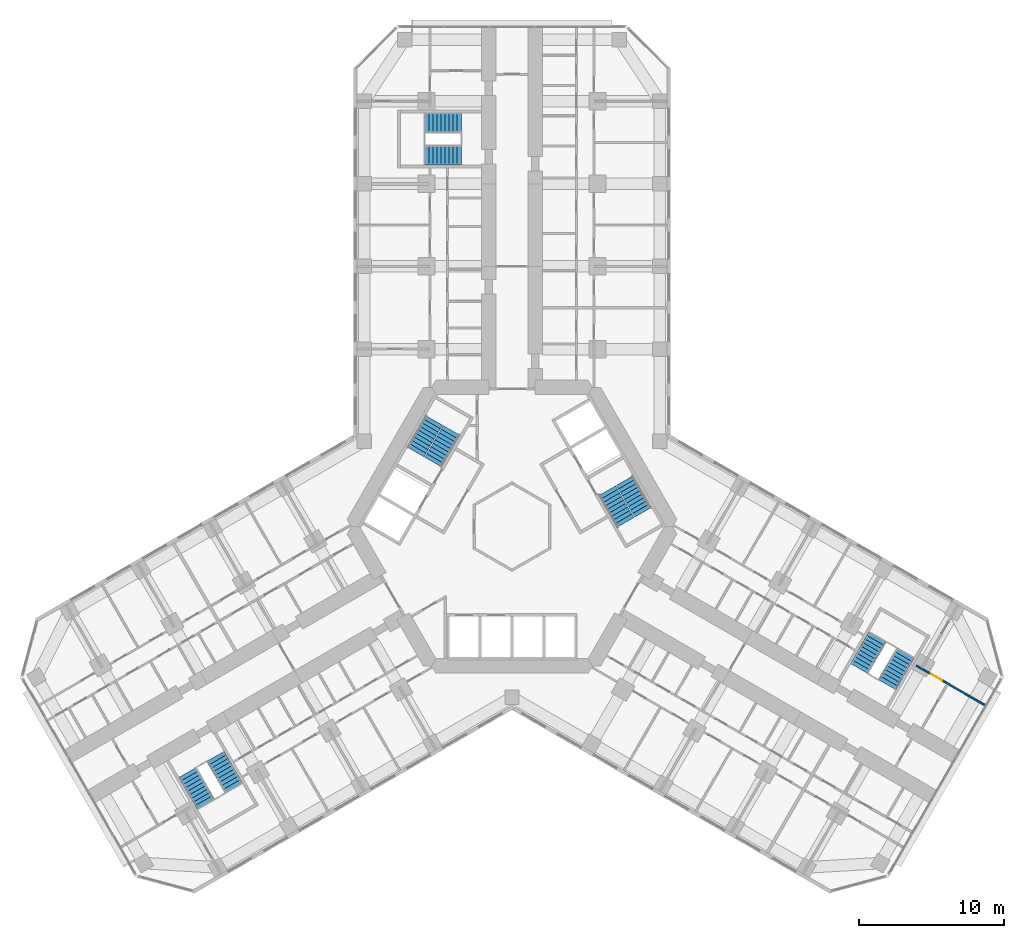
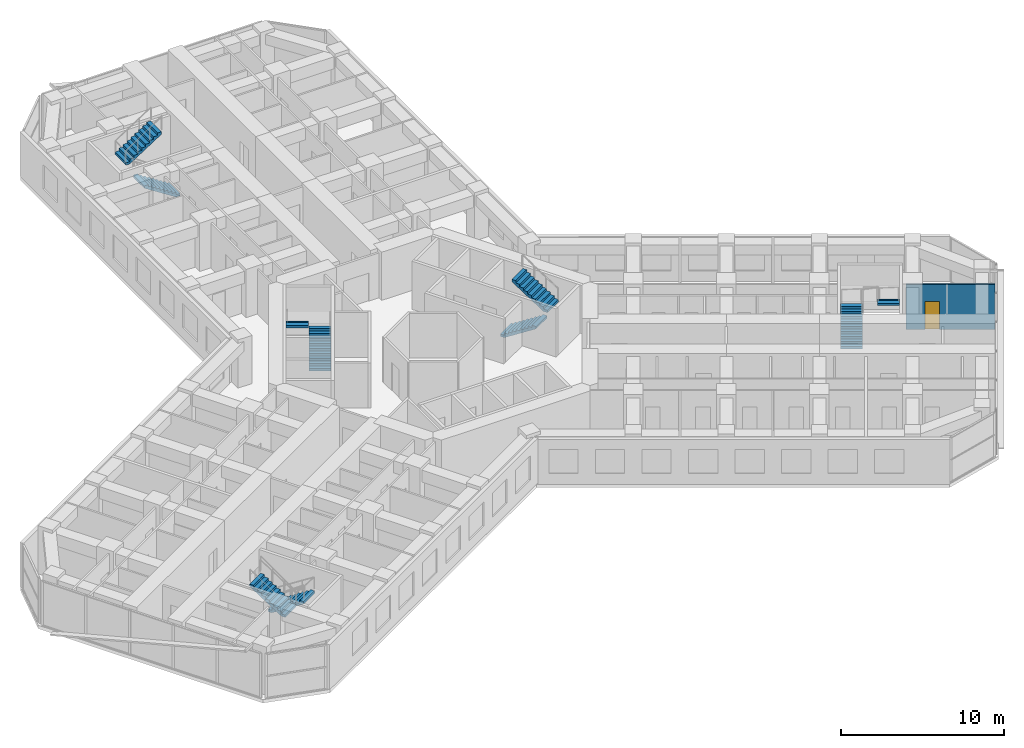
# One storey, part 20 of 21: 10 stair flights, 1 door, 1 wall, 1 opening, 5 elements without a shape of their own.
"""IFC4 building model written with IfcOpenShell, lengths in metres."""

from ifc_helpers import new_model, si_unit, direction, frame, frame_2d, origin, place, context, subcontext, project, spatial, polyline, rectangle, outline, extrude, material, layer, layer_set, type_object, element, fill, aggregate, save


model = new_model("IFC4")

# Units and contexts
model_context = context("Model", 3, precision=1e-05, world=origin(), true_north=direction((0.0, 1.0)))
body_context = subcontext(model_context, "Body", "Model", "MODEL_VIEW")
ifc_project = project(units=[si_unit("LENGTHUNIT", "METRE"), si_unit("AREAUNIT", "SQUARE_METRE"), si_unit("VOLUMEUNIT", "CUBIC_METRE"), si_unit("PLANEANGLEUNIT", "RADIAN"), si_unit("MASSUNIT", "GRAM", prefix="KILO")], contexts=[model_context])

# Site, building, storey
site_placement = place(None, origin())
site = spatial("IfcSite", under=ifc_project, at=site_placement, CompositionType="ELEMENT")
building_placement = place(site_placement, origin())
building = spatial("IfcBuilding", under=site, at=building_placement, Name="Kosmar Iwan School Tower", CompositionType="ELEMENT")
storey_placement = place(building_placement, frame((0.0, 0.0, 61.0)))
storey = spatial("IfcBuildingStorey", under=building, at=storey_placement, Name="L14", CompositionType="ELEMENT", Elevation=61.0)

# Wall, opening, door
ifc_material_1 = material(Name="Gypsum board on steel studs", Category="steel")
ifc_layer = layer(ifc_material_1, 0.1201171875)
ifc_layer_set = layer_set([ifc_layer], Name="Dwelling partition 120")
wall_type = type_object("IfcWallType", Name="Dwelling partition 120", PredefinedType="PARTITIONING", material=ifc_layer_set)
wall_placement = place(storey_placement, frame((27.896484375, -9.58203125, 0.0), z_axis=(0.0, 0.0, 1.0), x_axis=(0.866035508231, -0.499982498177, 0.0)))
wall = element("IfcWall", 1, at=wall_placement, inside=storey, type_object=wall_type, Name="Partition L14-CL2-TW", PredefinedType="PARTITIONING", context=body_context, shape_type="SweptSolid", body=[
    extrude(rectangle(XDim=5.445068359375, YDim=0.1201171875, at=frame_2d((2.72265625, 0.0))), origin(), (0.0, 0.0, 1.0), 3.35009765625),
])
opening_placement = place(wall_placement, frame((1.14990234375, 0.0, 0.0)))
opening = element("IfcOpeningElement", 2, at=opening_placement, cuts=wall, Name="Opening D2", PredefinedType="OPENING", context=body_context, shape_type="SweptSolid", body=[
    extrude(rectangle(XDim=0.89990234375, YDim=2.10009765625, at=frame_2d((0.449951171875, 1.050048828125))), frame((0.0, 0.072021484375, 0.0), z_axis=(0.0, -1.0, 0.0), x_axis=(1.0, 0.0, 0.0)), (0.0, 0.0, 1.0), 0.14404296875),
])
ifc_material_2 = material(Name="Timber door in timber frame", Category="wood")
door_type = type_object("IfcDoorType", Name="Internal door 900x2100", OperationType="SINGLE_SWING_LEFT", PredefinedType="DOOR", material=ifc_material_2)
door_placement = place(opening_placement, origin())
door = element("IfcDoor", 3, at=door_placement, inside=storey, type_object=door_type, Name="Entrance hall door L14-CL2-T3", OperationType="SINGLE_SWING_LEFT", OverallHeight=2.10009765625, OverallWidth=0.89990234375, PredefinedType="DOOR", context=body_context, shape_type="SweptSolid", body=[
    extrude(rectangle(XDim=0.89990234375, YDim=2.10009765625, at=frame_2d((0.449951171875, 1.050048828125))), frame((0.0, 0.02490234375, 0.0), z_axis=(0.0, -1.0, 0.0), x_axis=(1.0, 0.0, 0.0)), (0.0, 0.0, 1.0), 0.050048828125),
])
fill(opening, door)

# Stair, stair flights
ifc_material_3 = material(Name="Concrete C35/45", Category="concrete")
stair_type_1 = type_object("IfcStairType", Name="Escape stair 3600", PredefinedType="HALF_TURN_STAIR", material=ifc_material_3)
stair_1_placement = place(storey_placement, origin())
stair_1 = element("IfcStair", 4, at=stair_1_placement, inside=storey, type_object=stair_type_1, Name="Stair WS1 L14", PredefinedType="HALF_TURN_STAIR")
ifc_material_4 = material(Name="Concrete C35/45", Category="concrete")
stair_flight_type_1 = type_object("IfcStairFlightType", Name="Escape stair flight 1350", PredefinedType="STRAIGHT", material=ifc_material_4)
stair_flight_1_placement = place(storey_placement, frame((-3.5, 25.625, 0.0), z_axis=(0.0, 0.0, 1.0), x_axis=(-1.0, 0.0, 0.0)))
stair_flight_1 = element("IfcStairFlight", 5, at=stair_flight_1_placement, type_object=stair_flight_type_1, Name="WS1 flight 1", NumberOfRisers=10, NumberOfTreads=9, PredefinedType="STRAIGHT", RiserHeight=0.18, TreadLength=0.28, context=body_context, shape_type="SweptSolid", body=[
    extrude(outline(polyline([(0.0, 0.0), (0.0, 0.179931640625), (0.280029296875, 0.179931640625), (0.280029296875, 0.360107421875), (0.56005859375, 0.360107421875), (0.56005859375, 0.5400390625), (0.840087890625, 0.5400390625), (0.840087890625, 0.719970703125), (1.1201171875, 0.719970703125), (1.1201171875, 0.89990234375), (1.39990234375, 0.89990234375), (1.39990234375, 1.080078125), (1.679931640625, 1.080078125), (1.679931640625, 1.260009765625), (1.9599609375, 1.260009765625), (1.9599609375, 1.43994140625), (2.239990234375, 1.43994140625), (2.239990234375, 1.6201171875), (2.52001953125, 1.6201171875), (2.52001953125, 1.800048828125), (2.52001953125, 1.44189453125), (0.277099609375, 0.0), (0.0, 0.0)])), frame((0.0, 0.675048828125, 0.0), z_axis=(0.0, -1.0, 0.0), x_axis=(1.0, 0.0, 0.0)), (0.0, 0.0, 1.0), 1.35009765625),
])
stair_flight_2_placement = place(storey_placement, frame((-6.02001953125, 27.875, 1.800048828125), z_axis=(0.0, 0.0, 1.0), x_axis=(1.0, 0.0, 0.0)))
stair_flight_2 = element("IfcStairFlight", 6, at=stair_flight_2_placement, type_object=stair_flight_type_1, Name="WS1 flight 2", NumberOfRisers=10, NumberOfTreads=9, PredefinedType="STRAIGHT", RiserHeight=0.18, TreadLength=0.28, context=body_context, shape_type="SweptSolid", body=[
    extrude(outline(polyline([(0.0, 0.0), (0.0, 0.179931640625), (0.280029296875, 0.179931640625), (0.280029296875, 0.360107421875), (0.56005859375, 0.360107421875), (0.56005859375, 0.5400390625), (0.840087890625, 0.5400390625), (0.840087890625, 0.719970703125), (1.1201171875, 0.719970703125), (1.1201171875, 0.89990234375), (1.39990234375, 0.89990234375), (1.39990234375, 1.080078125), (1.679931640625, 1.080078125), (1.679931640625, 1.260009765625), (1.9599609375, 1.260009765625), (1.9599609375, 1.43994140625), (2.239990234375, 1.43994140625), (2.239990234375, 1.6201171875), (2.52001953125, 1.6201171875), (2.52001953125, 1.800048828125), (2.52001953125, 1.44189453125), (0.277099609375, 0.0), (0.0, 0.0)])), frame((0.0, 0.675048828125, 0.0), z_axis=(0.0, -1.0, 0.0), x_axis=(1.0, 0.0, 0.0)), (0.0, 0.0, 1.0), 1.35009765625),
])
aggregate(stair_1, [stair_flight_1, stair_flight_2])

stair_2_placement = place(storey_placement, origin())
stair_2 = element("IfcStair", 7, at=stair_2_placement, inside=storey, type_object=stair_type_1, Name="Stair WS2 L14", PredefinedType="HALF_TURN_STAIR")
stair_flight_3_placement = place(storey_placement, frame((-20.44189453125, -15.843505859375, 0.0), z_axis=(0.0, 0.0, 1.0), x_axis=(0.5, -0.866025403784, 0.0)))
stair_flight_3 = element("IfcStairFlight", 8, at=stair_flight_3_placement, type_object=stair_flight_type_1, Name="WS2 flight 1", NumberOfRisers=10, NumberOfTreads=9, PredefinedType="STRAIGHT", RiserHeight=0.18, TreadLength=0.28, context=body_context, shape_type="SweptSolid", body=[
    extrude(outline(polyline([(0.0, 0.0), (0.0, 0.179931640625), (0.280029296875, 0.179931640625), (0.280029296875, 0.360107421875), (0.56005859375, 0.360107421875), (0.56005859375, 0.5400390625), (0.840087890625, 0.5400390625), (0.840087890625, 0.719970703125), (1.1201171875, 0.719970703125), (1.1201171875, 0.89990234375), (1.39990234375, 0.89990234375), (1.39990234375, 1.080078125), (1.679931640625, 1.080078125), (1.679931640625, 1.260009765625), (1.9599609375, 1.260009765625), (1.9599609375, 1.43994140625), (2.239990234375, 1.43994140625), (2.239990234375, 1.6201171875), (2.52001953125, 1.6201171875), (2.52001953125, 1.800048828125), (2.52001953125, 1.44189453125), (0.277099609375, 0.0), (0.0, 0.0)])), frame((0.0, 0.675048828125, 0.0), z_axis=(0.0, -1.0, 0.0), x_axis=(1.0, 0.0, 0.0)), (0.0, 0.0, 1.0), 1.35009765625),
])
stair_flight_4_placement = place(storey_placement, frame((-21.13037109375, -19.15087890625, 1.800048828125), z_axis=(0.0, 0.0, 1.0), x_axis=(-0.5, 0.866025403784, 0.0)))
stair_flight_4 = element("IfcStairFlight", 9, at=stair_flight_4_placement, type_object=stair_flight_type_1, Name="WS2 flight 2", NumberOfRisers=10, NumberOfTreads=9, PredefinedType="STRAIGHT", RiserHeight=0.18, TreadLength=0.28, context=body_context, shape_type="SweptSolid", body=[
    extrude(outline(polyline([(0.0, 0.0), (0.0, 0.179931640625), (0.280029296875, 0.179931640625), (0.280029296875, 0.360107421875), (0.56005859375, 0.360107421875), (0.56005859375, 0.5400390625), (0.840087890625, 0.5400390625), (0.840087890625, 0.719970703125), (1.1201171875, 0.719970703125), (1.1201171875, 0.89990234375), (1.39990234375, 0.89990234375), (1.39990234375, 1.080078125), (1.679931640625, 1.080078125), (1.679931640625, 1.260009765625), (1.9599609375, 1.260009765625), (1.9599609375, 1.43994140625), (2.239990234375, 1.43994140625), (2.239990234375, 1.6201171875), (2.52001953125, 1.6201171875), (2.52001953125, 1.800048828125), (2.52001953125, 1.44189453125), (0.277099609375, 0.0), (0.0, 0.0)])), frame((0.0, 0.675048828125, 0.0), z_axis=(0.0, -1.0, 0.0), x_axis=(1.0, 0.0, 0.0)), (0.0, 0.0, 1.0), 1.35009765625),
])
aggregate(stair_2, [stair_flight_3, stair_flight_4])

stair_3_placement = place(storey_placement, origin())
stair_3 = element("IfcStair", 10, at=stair_3_placement, inside=storey, type_object=stair_type_1, Name="Stair WS3 L14", PredefinedType="HALF_TURN_STAIR")
stair_flight_5_placement = place(storey_placement, frame((23.94189453125, -9.781494140625, 0.0), z_axis=(0.0, 0.0, 1.0), x_axis=(0.5, 0.866025403784, 0.0)))
stair_flight_5 = element("IfcStairFlight", 11, at=stair_flight_5_placement, type_object=stair_flight_type_1, Name="WS3 flight 1", NumberOfRisers=10, NumberOfTreads=9, PredefinedType="STRAIGHT", RiserHeight=0.18, TreadLength=0.28, context=body_context, shape_type="SweptSolid", body=[
    extrude(outline(polyline([(0.0, 0.0), (0.0, 0.179931640625), (0.280029296875, 0.179931640625), (0.280029296875, 0.360107421875), (0.56005859375, 0.360107421875), (0.56005859375, 0.5400390625), (0.840087890625, 0.5400390625), (0.840087890625, 0.719970703125), (1.1201171875, 0.719970703125), (1.1201171875, 0.89990234375), (1.39990234375, 0.89990234375), (1.39990234375, 1.080078125), (1.679931640625, 1.080078125), (1.679931640625, 1.260009765625), (1.9599609375, 1.260009765625), (1.9599609375, 1.43994140625), (2.239990234375, 1.43994140625), (2.239990234375, 1.6201171875), (2.52001953125, 1.6201171875), (2.52001953125, 1.800048828125), (2.52001953125, 1.44189453125), (0.277099609375, 0.0), (0.0, 0.0)])), frame((0.0, 0.675048828125, 0.0), z_axis=(0.0, -1.0, 0.0), x_axis=(1.0, 0.0, 0.0)), (0.0, 0.0, 1.0), 1.35009765625),
])
stair_flight_6_placement = place(storey_placement, frame((27.150390625, -8.72412109375, 1.800048828125), z_axis=(0.0, 0.0, 1.0), x_axis=(-0.5, -0.866025403784, 0.0)))
stair_flight_6 = element("IfcStairFlight", 12, at=stair_flight_6_placement, type_object=stair_flight_type_1, Name="WS3 flight 2", NumberOfRisers=10, NumberOfTreads=9, PredefinedType="STRAIGHT", RiserHeight=0.18, TreadLength=0.28, context=body_context, shape_type="SweptSolid", body=[
    extrude(outline(polyline([(0.0, 0.0), (0.0, 0.179931640625), (0.280029296875, 0.179931640625), (0.280029296875, 0.360107421875), (0.56005859375, 0.360107421875), (0.56005859375, 0.5400390625), (0.840087890625, 0.5400390625), (0.840087890625, 0.719970703125), (1.1201171875, 0.719970703125), (1.1201171875, 0.89990234375), (1.39990234375, 0.89990234375), (1.39990234375, 1.080078125), (1.679931640625, 1.080078125), (1.679931640625, 1.260009765625), (1.9599609375, 1.260009765625), (1.9599609375, 1.43994140625), (2.239990234375, 1.43994140625), (2.239990234375, 1.6201171875), (2.52001953125, 1.6201171875), (2.52001953125, 1.800048828125), (2.52001953125, 1.44189453125), (0.277099609375, 0.0), (0.0, 0.0)])), frame((0.0, 0.675048828125, 0.0), z_axis=(0.0, -1.0, 0.0), x_axis=(1.0, 0.0, 0.0)), (0.0, 0.0, 1.0), 1.35009765625),
])
aggregate(stair_3, [stair_flight_5, stair_flight_6])

ifc_material_5 = material(Name="Concrete C35/45", Category="concrete")
stair_type_2 = type_object("IfcStairType", Name="Core stair 2750", PredefinedType="HALF_TURN_STAIR", material=ifc_material_5)
stair_4_placement = place(storey_placement, origin())
stair_4 = element("IfcStair", 13, at=stair_4_placement, inside=storey, type_object=stair_type_2, Name="Stair ST2 L14", PredefinedType="HALF_TURN_STAIR")
ifc_material_6 = material(Name="Concrete C35/45", Category="concrete")
stair_flight_type_2 = type_object("IfcStairFlightType", Name="Stair flight 1350", PredefinedType="STRAIGHT", material=ifc_material_6)
stair_flight_7_placement = place(storey_placement, frame((-5.42724609375, 4.44970703125, 0.0), z_axis=(0.0, 0.0, 1.0), x_axis=(0.5, 0.866025403784, 0.0)))
stair_flight_7 = element("IfcStairFlight", 14, at=stair_flight_7_placement, type_object=stair_flight_type_2, Name="ST2 flight 1", NumberOfRisers=10, NumberOfTreads=9, PredefinedType="STRAIGHT", RiserHeight=0.18, TreadLength=0.28, context=body_context, shape_type="SweptSolid", body=[
    extrude(outline(polyline([(0.0, 0.0), (0.0, 0.179931640625), (0.280029296875, 0.179931640625), (0.280029296875, 0.360107421875), (0.56005859375, 0.360107421875), (0.56005859375, 0.5400390625), (0.840087890625, 0.5400390625), (0.840087890625, 0.719970703125), (1.1201171875, 0.719970703125), (1.1201171875, 0.89990234375), (1.39990234375, 0.89990234375), (1.39990234375, 1.080078125), (1.679931640625, 1.080078125), (1.679931640625, 1.260009765625), (1.9599609375, 1.260009765625), (1.9599609375, 1.43994140625), (2.239990234375, 1.43994140625), (2.239990234375, 1.6201171875), (2.52001953125, 1.6201171875), (2.52001953125, 1.800048828125), (2.52001953125, 1.44189453125), (0.277099609375, 0.0), (0.0, 0.0)])), frame((0.0, 0.675048828125, 0.0), z_axis=(0.0, -1.0, 0.0), x_axis=(1.0, 0.0, 0.0)), (0.0, 0.0, 1.0), 1.35009765625),
])
stair_flight_8_placement = place(storey_placement, frame((-5.379638671875, 7.33203125, 1.800048828125), z_axis=(0.0, 0.0, 1.0), x_axis=(-0.5, -0.866025403784, 0.0)))
stair_flight_8 = element("IfcStairFlight", 15, at=stair_flight_8_placement, type_object=stair_flight_type_2, Name="ST2 flight 2", NumberOfRisers=10, NumberOfTreads=9, PredefinedType="STRAIGHT", RiserHeight=0.18, TreadLength=0.28, context=body_context, shape_type="SweptSolid", body=[
    extrude(outline(polyline([(0.0, 0.0), (0.0, 0.179931640625), (0.280029296875, 0.179931640625), (0.280029296875, 0.360107421875), (0.56005859375, 0.360107421875), (0.56005859375, 0.5400390625), (0.840087890625, 0.5400390625), (0.840087890625, 0.719970703125), (1.1201171875, 0.719970703125), (1.1201171875, 0.89990234375), (1.39990234375, 0.89990234375), (1.39990234375, 1.080078125), (1.679931640625, 1.080078125), (1.679931640625, 1.260009765625), (1.9599609375, 1.260009765625), (1.9599609375, 1.43994140625), (2.239990234375, 1.43994140625), (2.239990234375, 1.6201171875), (2.52001953125, 1.6201171875), (2.52001953125, 1.800048828125), (2.52001953125, 1.44189453125), (0.277099609375, 0.0), (0.0, 0.0)])), frame((0.0, 0.675048828125, 0.0), z_axis=(0.0, -1.0, 0.0), x_axis=(1.0, 0.0, 0.0)), (0.0, 0.0, 1.0), 1.35009765625),
])
aggregate(stair_4, [stair_flight_7, stair_flight_8])

stair_5_placement = place(storey_placement, origin())
stair_5 = element("IfcStair", 16, at=stair_5_placement, inside=storey, type_object=stair_type_2, Name="Stair ST1 L14", PredefinedType="HALF_TURN_STAIR")
stair_flight_9_placement = place(storey_placement, frame((6.567138671875, 2.475341796875, 0.0), z_axis=(0.0, 0.0, 1.0), x_axis=(0.5, -0.866025403784, 0.0)))
stair_flight_9 = element("IfcStairFlight", 17, at=stair_flight_9_placement, type_object=stair_flight_type_2, Name="ST1 flight 1", NumberOfRisers=10, NumberOfTreads=9, PredefinedType="STRAIGHT", RiserHeight=0.18, TreadLength=0.28, context=body_context, shape_type="SweptSolid", body=[
    extrude(outline(polyline([(0.0, 0.0), (0.0, 0.179931640625), (0.280029296875, 0.179931640625), (0.280029296875, 0.360107421875), (0.56005859375, 0.360107421875), (0.56005859375, 0.5400390625), (0.840087890625, 0.5400390625), (0.840087890625, 0.719970703125), (1.1201171875, 0.719970703125), (1.1201171875, 0.89990234375), (1.39990234375, 0.89990234375), (1.39990234375, 1.080078125), (1.679931640625, 1.080078125), (1.679931640625, 1.260009765625), (1.9599609375, 1.260009765625), (1.9599609375, 1.43994140625), (2.239990234375, 1.43994140625), (2.239990234375, 1.6201171875), (2.52001953125, 1.6201171875), (2.52001953125, 1.800048828125), (2.52001953125, 1.44189453125), (0.277099609375, 0.0), (0.0, 0.0)])), frame((0.0, 0.675048828125, 0.0), z_axis=(0.0, -1.0, 0.0), x_axis=(1.0, 0.0, 0.0)), (0.0, 0.0, 1.0), 1.35009765625),
])
stair_flight_10_placement = place(storey_placement, frame((9.03955078125, 0.992919921875, 1.800048828125), z_axis=(0.0, 0.0, 1.0), x_axis=(-0.5, 0.866025403784, 0.0)))
stair_flight_10 = element("IfcStairFlight", 18, at=stair_flight_10_placement, type_object=stair_flight_type_2, Name="ST1 flight 2", NumberOfRisers=10, NumberOfTreads=9, PredefinedType="STRAIGHT", RiserHeight=0.18, TreadLength=0.28, context=body_context, shape_type="SweptSolid", body=[
    extrude(outline(polyline([(0.0, 0.0), (0.0, 0.179931640625), (0.280029296875, 0.179931640625), (0.280029296875, 0.360107421875), (0.56005859375, 0.360107421875), (0.56005859375, 0.5400390625), (0.840087890625, 0.5400390625), (0.840087890625, 0.719970703125), (1.1201171875, 0.719970703125), (1.1201171875, 0.89990234375), (1.39990234375, 0.89990234375), (1.39990234375, 1.080078125), (1.679931640625, 1.080078125), (1.679931640625, 1.260009765625), (1.9599609375, 1.260009765625), (1.9599609375, 1.43994140625), (2.239990234375, 1.43994140625), (2.239990234375, 1.6201171875), (2.52001953125, 1.6201171875), (2.52001953125, 1.800048828125), (2.52001953125, 1.44189453125), (0.277099609375, 0.0), (0.0, 0.0)])), frame((0.0, 0.675048828125, 0.0), z_axis=(0.0, -1.0, 0.0), x_axis=(1.0, 0.0, 0.0)), (0.0, 0.0, 1.0), 1.35009765625),
])
aggregate(stair_5, [stair_flight_9, stair_flight_10])

save(model, "model.ifc")
